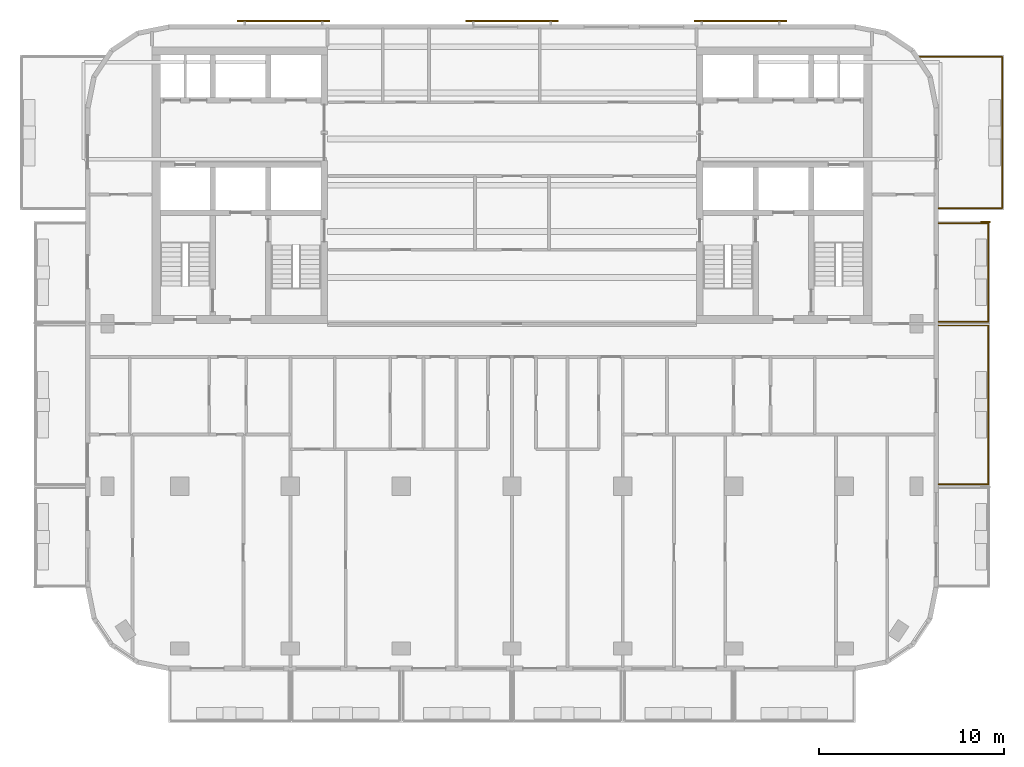
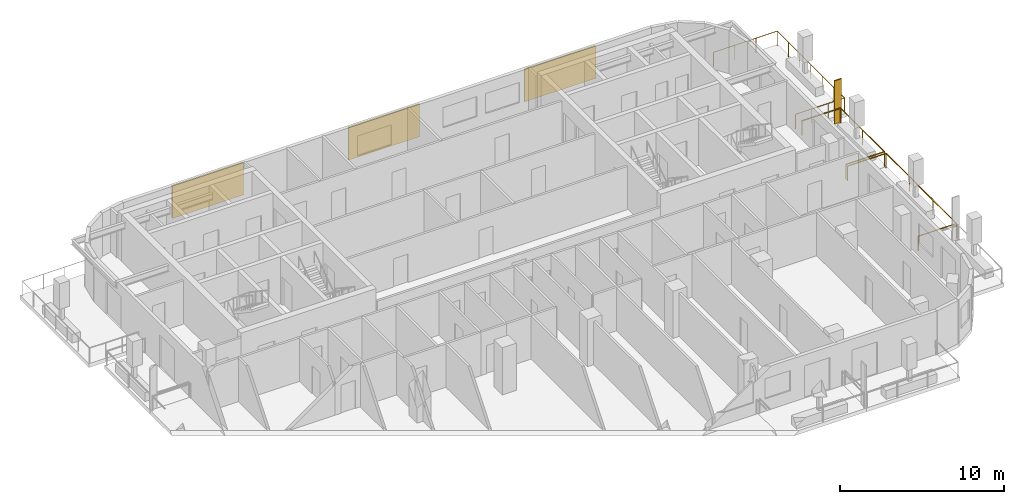
# One storey, part 10 of 11: 4 shading devices, 3 railings.
"""IFC4 building model written with IfcOpenShell, lengths in metres."""

import ifcopenshell
import ifcopenshell.guid

model = None  # the IFC model being written
_history = None  # IfcOwnerHistory: only IFC2X3 demands one
_inside = {}  # id of a spatial element -> (the spatial element, [elements in it])
_under = {}  # id of a project, library or spatial element -> (it, [spatial elements below it])
_declared = {}  # id of a project -> (the project, [libraries it declares])
_typed = {}  # id of a type object -> (the type object, [elements of that type])
_made_of = {}  # id of a material, layer set ... -> (it, [elements and type objects made of it])


def new_model(schema):
    """Start an empty IFC model of exactly this schema.

    Asked for "IFC4X3", IfcOpenShell would pick the latest addendum, in which some entities
    have other attributes; the version numbers below select the first issue.
    IFC2X3 requires an IfcOwnerHistory on every rooted entity: one is made here for all.
    """
    global model, _history
    if schema == "IFC4X3":
        model = ifcopenshell.file(schema_version=(4, 3, 0, 0))
    else:
        model = ifcopenshell.file(schema=schema)
    _inside.clear()
    _under.clear()
    _declared.clear()
    _typed.clear()
    _made_of.clear()
    _history = None
    if model.schema == "IFC2X3":
        org = make("IfcOrganization", Name="unknown")
        user = make(
            "IfcPersonAndOrganization",
            ThePerson=make("IfcPerson", FamilyName="unknown"),
            TheOrganization=org,
        )
        app = make(
            "IfcApplication",
            ApplicationDeveloper=org,
            Version="unknown",
            ApplicationFullName="unknown",
            ApplicationIdentifier="unknown",
        )
        _history = make(
            "IfcOwnerHistory",
            OwningUser=user,
            OwningApplication=app,
            ChangeAction="ADDED",
            CreationDate=0,
        )
    return model


def make(cls, **values):
    """One entity of the class cls with the attributes given. An attribute that is None is left unset."""
    return model.create_entity(
        cls, **{name: value for name, value in values.items() if value is not None}
    )


def rooted(cls, **values):
    """An entity with a GlobalId (a new one), such as an element, a storey or a relation."""
    return make(cls, GlobalId=ifcopenshell.guid.new(), OwnerHistory=_history, **values)


def si_unit(unit_type, name, prefix=None):
    """IfcSIUnit, for example si_unit("LENGTHUNIT", "METRE", prefix="MILLI")."""
    return make("IfcSIUnit", UnitType=unit_type, Prefix=prefix, Name=name)


def assignment(units):
    """IfcUnitAssignment: the units of a project."""
    return None if units is None else make("IfcUnitAssignment", Units=units)


def point(xyz):
    """IfcCartesianPoint."""
    return None if xyz is None else make("IfcCartesianPoint", Coordinates=xyz)


def direction(xyz):
    """IfcDirection."""
    return None if xyz is None else make("IfcDirection", DirectionRatios=xyz)


def frame(location, z_axis=None, x_axis=None):
    """IfcAxis2Placement3D, a coordinate frame: its origin and axes. An axis left out is left unset."""
    return make(
        "IfcAxis2Placement3D",
        Location=point(location),
        Axis=direction(z_axis),
        RefDirection=direction(x_axis),
    )


def frame_2d(location, x_axis=None):
    """IfcAxis2Placement2D, a coordinate frame in the plane: its origin and x axis."""
    return make(
        "IfcAxis2Placement2D", Location=point(location), RefDirection=direction(x_axis)
    )


def origin():
    """The frame at (0, 0, 0) with its axes left unset."""
    return frame((0.0, 0.0, 0.0))


def origin_2d():
    """The frame at (0, 0) in the plane with its x axis left unset."""
    return frame_2d((0.0, 0.0))


def place(relative_to, where):
    """IfcLocalPlacement: puts the frame where relative to a parent placement (None: the world)."""
    return make(
        "IfcLocalPlacement", PlacementRelTo=relative_to, RelativePlacement=where
    )


def context(
    kind, dimensions, precision=None, world=None, true_north=None, identifier=None
):
    """IfcGeometricRepresentationContext, for example the 3D "Model" context."""
    return make(
        "IfcGeometricRepresentationContext",
        ContextIdentifier=identifier,
        ContextType=kind,
        CoordinateSpaceDimension=dimensions,
        Precision=precision,
        WorldCoordinateSystem=world,
        TrueNorth=true_north,
    )


def subcontext(parent, identifier, kind, view, scale=None):
    """IfcGeometricRepresentationSubContext, for example "Body" below "Model"."""
    return make(
        "IfcGeometricRepresentationSubContext",
        ContextIdentifier=identifier,
        ContextType=kind,
        ParentContext=parent,
        TargetScale=scale,
        TargetView=view,
    )


def project(units=None, contexts=None):
    """IfcProject with its units and contexts."""
    return rooted(
        "IfcProject",
        Name="project",
        RepresentationContexts=contexts,
        UnitsInContext=assignment(units),
    )


def spatial(cls, under=None, at=None, **own):
    """A site, building, storey or space (cls), placed at a placement, below another one or the project."""
    s = rooted(cls, ObjectPlacement=at, **own)
    if under is not None:
        _under.setdefault(under.id(), (under, []))[1].append(s)
    return s


def profile(cls, at=None, kind="AREA", **sizes):
    """A parametric profile (cls). Its sizes go by their IFC names, for example OverallWidth=200.0."""
    return make(cls, ProfileType=kind, Position=at, **sizes)


def rectangle(**sizes):
    """IfcRectangleProfileDef."""
    return profile("IfcRectangleProfileDef", **sizes)


def circle(**sizes):
    """IfcCircleProfileDef."""
    return profile("IfcCircleProfileDef", **sizes)


def extrude(swept, where, along, depth):
    """IfcExtrudedAreaSolid: the profile swept, set in the frame where, extruded along a direction by depth."""
    return make(
        "IfcExtrudedAreaSolid",
        SweptArea=swept,
        Position=where,
        ExtrudedDirection=direction(along),
        Depth=depth,
    )


def shape(context_of_items, identifier, shape_type, items):
    """IfcShapeRepresentation: the items that make up one representation, for example the "Body"."""
    return make(
        "IfcShapeRepresentation",
        ContextOfItems=context_of_items,
        RepresentationIdentifier=identifier,
        RepresentationType=shape_type,
        Items=items,
    )


def material(Name=None, Category=None):
    """IfcMaterial."""
    return make("IfcMaterial", Name=Name, Category=Category)


def layer(
    of_material, thickness, ventilated=None, Name=None, Category=None, Priority=None
):
    """IfcMaterialLayer: one layer of a wall or slab, of a material (None: an air gap)."""
    return make(
        "IfcMaterialLayer",
        Material=of_material,
        LayerThickness=thickness,
        IsVentilated=ventilated,
        Name=Name,
        Category=Category,
        Priority=Priority,
    )


def layer_set(layers, Name=None):
    """IfcMaterialLayerSet."""
    return make("IfcMaterialLayerSet", MaterialLayers=layers, LayerSetName=Name)


def made_of(thing, what):
    """Note that an element or type object is made of a material, layer set ...; save() writes the relation."""
    if what is not None:
        _made_of.setdefault(what.id(), (what, []))[1].append(thing)
    return thing


def type_object(cls, material=None, **own):
    """A type object (cls), such as IfcWallType, which elements share."""
    return made_of(rooted(cls, **own), material)


def element(
    cls,
    number,
    at=None,
    inside=None,
    cuts=None,
    type_object=None,
    material=None,
    context=None,
    identifier="Body",
    shape_type=None,
    held_by="IfcProductDefinitionShape",
    body=None,
    shapes=None,
    **own,
):
    """One element of the class cls, such as IfcWall. Its Tag is "e" and its number.

    at: its placement. inside: the storey or other place that contains it. cuts: it is an
    opening in that element (IfcRelVoidsElement). A single representation is given by context,
    identifier, shape_type and body (its items); several are given by shapes. held_by: the class
    of the entity that holds the representations. save() writes the other relations.
    """
    e = rooted(cls, Tag="e%d" % number, ObjectPlacement=at, **own)
    if body is not None:
        shapes = [shape(context, identifier, shape_type, body)]
    if shapes is not None:
        e.Representation = make(held_by, Representations=shapes)
    if inside is not None:
        _inside.setdefault(inside.id(), (inside, []))[1].append(e)
    if cuts is not None:
        rooted(
            "IfcRelVoidsElement", RelatingBuildingElement=cuts, RelatedOpeningElement=e
        )
    if type_object is not None:
        _typed.setdefault(type_object.id(), (type_object, []))[1].append(e)
    return made_of(e, material)


def aggregate(whole, parts):
    """IfcRelAggregates: a whole, such as a stair, and the parts it consists of."""
    return rooted("IfcRelAggregates", RelatingObject=whole, RelatedObjects=parts)


def save(model, path):
    """Write the relations noted so far, then the file.

    IfcRelAggregates (storeys below a building ...), IfcRelContainedInSpatialStructure (elements
    in a storey), IfcRelDefinesByType, IfcRelAssociatesMaterial and IfcRelDeclares: one each for
    every whole, place, type object, material and project.
    """
    for whole, parts in _under.values():
        aggregate(whole, parts)
    for where, things in _inside.values():
        rooted(
            "IfcRelContainedInSpatialStructure",
            RelatedElements=things,
            RelatingStructure=where,
        )
    for kind, things in _typed.values():
        rooted("IfcRelDefinesByType", RelatedObjects=things, RelatingType=kind)
    for what, things in _made_of.values():
        rooted("IfcRelAssociatesMaterial", RelatedObjects=things, RelatingMaterial=what)
    for by, libraries in _declared.values():
        rooted("IfcRelDeclares", RelatingContext=by, RelatedDefinitions=libraries)
    model.write(path)


model = new_model("IFC4")

# Units and contexts
model_context = context("Model", 3, precision=1e-05, world=origin(), true_north=direction((0.0, 1.0)))
body_context = subcontext(model_context, "Body", "Model", "MODEL_VIEW")
ifc_project = project(units=[si_unit("LENGTHUNIT", "METRE"), si_unit("AREAUNIT", "SQUARE_METRE"), si_unit("VOLUMEUNIT", "CUBIC_METRE"), si_unit("PLANEANGLEUNIT", "RADIAN"), si_unit("MASSUNIT", "GRAM", prefix="KILO")], contexts=[model_context])

# Site, building, storey
site_placement = place(None, origin())
site = spatial("IfcSite", under=ifc_project, at=site_placement, CompositionType="ELEMENT")
building_placement = place(site_placement, origin())
building = spatial("IfcBuilding", under=site, at=building_placement, Name="Torana Hotel and Residences", CompositionType="ELEMENT")
storey_placement = place(building_placement, frame((0.0, 0.0, 291.10009765625)))
storey = spatial("IfcBuildingStorey", under=building, at=storey_placement, Name="L77", CompositionType="ELEMENT", Elevation=291.10009765625)

# Shading device
ifc_material_1 = material(Name="Black powder coated aluminium", Category="aluminium")
ifc_layer_1 = layer(ifc_material_1, 0.080078125)
ifc_layer_set_1 = layer_set([ifc_layer_1], Name="FN1 VERTICAL FIN 500x80")
shading_device_type_1 = type_object("IfcShadingDeviceType", Name="FN1 VERTICAL FIN 500x80", PredefinedType="USERDEFINED", material=ifc_layer_set_1)
shading_device_placement = place(storey_placement, frame((25.64990234375, -9.489990234375, 0.0), z_axis=(0.0, 0.0, 1.0), x_axis=(0.0, -1.0, 0.0)))
element("IfcShadingDevice", 1, at=shading_device_placement, inside=storey, type_object=shading_device_type_1, Name="Fin 13", ObjectType="FIN", PredefinedType="USERDEFINED", context=body_context, shape_type="SweptSolid", body=[
    extrude(rectangle(XDim=0.080078125, YDim=0.5, at=origin_2d()), origin(), (0.0, 0.0, 1.0), 3.219970703125),
])

# Railings
ifc_material_2 = material(Name="Laminated glass balustrade with black handrail", Category="glass")
railing_type = type_object("IfcRailingType", Name="GR1 BALCONY GUARD 1100 GLASS", PredefinedType="GUARDRAIL", material=ifc_material_2)
railing_1_placement = place(storey_placement, frame((23.10009765625, -15.10009765625, 0.0)))
element("IfcRailing", 2, at=railing_1_placement, inside=storey, type_object=railing_type, Name="Balcony guard 12", PredefinedType="GUARDRAIL", context=body_context, shape_type="SweptSolid", body=[
    extrude(circle(Radius=0.02392578125, at=origin_2d()), frame((0.0, 0.0, 1.076171875), z_axis=(1.0, 0.0, 0.0), x_axis=(0.0, 1.0, 0.0)), (0.0, 0.0, 1.0), 2.699951171875),
    extrude(circle(Radius=0.02392578125, at=origin_2d()), frame((2.699951171875, 0.0, 1.076171875), z_axis=(0.0, -1.0, 0.0), x_axis=(1.0, 0.0, 0.0)), (0.0, 0.0, 1.0), 8.599853515625),
    extrude(circle(Radius=0.02392578125, at=origin_2d()), frame((2.699951171875, -8.599853515625, 1.076171875), z_axis=(-1.0, 0.0, 0.0), x_axis=(0.0, -1.0, 0.0)), (0.0, 0.0, 1.0), 2.699951171875),
    extrude(circle(Radius=0.02099609375, at=origin_2d()), origin(), (0.0, 0.0, 1.0), 1.052001953125),
    extrude(circle(Radius=0.02099609375, at=origin_2d()), frame((2.699951171875, 0.0, 0.0)), (0.0, 0.0, 1.0), 1.052001953125),
    extrude(circle(Radius=0.02099609375, at=origin_2d()), frame((2.699951171875, -2.86669921875, 0.0)), (0.0, 0.0, 1.0), 1.052001953125),
    extrude(circle(Radius=0.02099609375, at=origin_2d()), frame((2.699951171875, -5.733154296875, 0.0)), (0.0, 0.0, 1.0), 1.052001953125),
    extrude(circle(Radius=0.02099609375, at=origin_2d()), frame((2.699951171875, -8.599853515625, 0.0)), (0.0, 0.0, 1.0), 1.052001953125),
    extrude(circle(Radius=0.02099609375, at=origin_2d()), frame((0.0, -8.599853515625, 0.0)), (0.0, 0.0, 1.0), 1.052001953125),
])
railing_2_placement = place(storey_placement, frame((23.10009765625, -9.550048828125, 0.0)))
element("IfcRailing", 3, at=railing_2_placement, inside=storey, type_object=railing_type, Name="Balcony guard 13", PredefinedType="GUARDRAIL", context=body_context, shape_type="SweptSolid", body=[
    extrude(circle(Radius=0.02392578125, at=origin_2d()), frame((0.0, 0.0, 1.076171875), z_axis=(1.0, 0.0, 0.0), x_axis=(0.0, 1.0, 0.0)), (0.0, 0.0, 1.0), 2.699951171875),
    extrude(circle(Radius=0.02392578125, at=origin_2d()), frame((2.699951171875, 0.0, 1.076171875), z_axis=(0.0, -1.0, 0.0), x_axis=(1.0, 0.0, 0.0)), (0.0, 0.0, 1.0), 5.349853515625),
    extrude(circle(Radius=0.02392578125, at=origin_2d()), frame((2.699951171875, -5.349853515625, 1.076171875), z_axis=(-1.0, 0.0, 0.0), x_axis=(0.0, -1.0, 0.0)), (0.0, 0.0, 1.0), 2.699951171875),
    extrude(circle(Radius=0.02099609375, at=origin_2d()), origin(), (0.0, 0.0, 1.0), 1.052001953125),
    extrude(circle(Radius=0.02099609375, at=origin_2d()), frame((2.699951171875, 0.0, 0.0)), (0.0, 0.0, 1.0), 1.052001953125),
    extrude(circle(Radius=0.02099609375, at=origin_2d()), frame((2.699951171875, -2.6748046875, 0.0)), (0.0, 0.0, 1.0), 1.052001953125),
    extrude(circle(Radius=0.02099609375, at=origin_2d()), frame((2.699951171875, -5.349853515625, 0.0)), (0.0, 0.0, 1.0), 1.052001953125),
    extrude(circle(Radius=0.02099609375, at=origin_2d()), frame((0.0, -5.349853515625, 0.0)), (0.0, 0.0, 1.0), 1.052001953125),
])
railing_3_placement = place(storey_placement, frame((22.07080078125, -0.550048828125, 0.0)))
element("IfcRailing", 4, at=railing_3_placement, inside=storey, type_object=railing_type, Name="Balcony guard 14", PredefinedType="GUARDRAIL", context=body_context, shape_type="SweptSolid", body=[
    extrude(circle(Radius=0.02392578125, at=origin_2d()), frame((0.0, 0.0, 1.076171875), z_axis=(1.0, 0.0, 0.0), x_axis=(0.0, 1.0, 0.0)), (0.0, 0.0, 1.0), 4.479248046875),
    extrude(circle(Radius=0.02392578125, at=origin_2d()), frame((4.479248046875, 0.0, 1.076171875), z_axis=(0.0, -1.0, 0.0), x_axis=(1.0, 0.0, 0.0)), (0.0, 0.0, 1.0), 8.199951171875),
    extrude(circle(Radius=0.02392578125, at=origin_2d()), frame((4.479248046875, -8.199951171875, 1.076171875), z_axis=(-1.0, 0.0, 0.0), x_axis=(0.0, -1.0, 0.0)), (0.0, 0.0, 1.0), 3.449951171875),
    extrude(circle(Radius=0.02099609375, at=origin_2d()), origin(), (0.0, 0.0, 1.0), 1.052001953125),
    extrude(circle(Radius=0.02099609375, at=origin_2d()), frame((1.4931640625, 0.0, 0.0)), (0.0, 0.0, 1.0), 1.052001953125),
    extrude(circle(Radius=0.02099609375, at=origin_2d()), frame((2.986083984375, 0.0, 0.0)), (0.0, 0.0, 1.0), 1.052001953125),
    extrude(circle(Radius=0.02099609375, at=origin_2d()), frame((4.479248046875, 0.0, 0.0)), (0.0, 0.0, 1.0), 1.052001953125),
    extrude(circle(Radius=0.02099609375, at=origin_2d()), frame((4.479248046875, -1.36669921875, 0.0)), (0.0, 0.0, 1.0), 1.052001953125),
    extrude(circle(Radius=0.02099609375, at=origin_2d()), frame((4.479248046875, -2.7333984375, 0.0)), (0.0, 0.0, 1.0), 1.052001953125),
    extrude(circle(Radius=0.02099609375, at=origin_2d()), frame((4.479248046875, -4.10009765625, 0.0)), (0.0, 0.0, 1.0), 1.052001953125),
    extrude(circle(Radius=0.02099609375, at=origin_2d()), frame((4.479248046875, -5.466552734375, 0.0)), (0.0, 0.0, 1.0), 1.052001953125),
    extrude(circle(Radius=0.02099609375, at=origin_2d()), frame((4.479248046875, -6.833251953125, 0.0)), (0.0, 0.0, 1.0), 1.052001953125),
    extrude(circle(Radius=0.02099609375, at=origin_2d()), frame((4.479248046875, -8.199951171875, 0.0)), (0.0, 0.0, 1.0), 1.052001953125),
    extrude(circle(Radius=0.02099609375, at=origin_2d()), frame((3.329345703125, -8.199951171875, 0.0)), (0.0, 0.0, 1.0), 1.052001953125),
    extrude(circle(Radius=0.02099609375, at=origin_2d()), frame((2.17919921875, -8.199951171875, 0.0)), (0.0, 0.0, 1.0), 1.052001953125),
    extrude(circle(Radius=0.02099609375, at=origin_2d()), frame((1.029296875, -8.199951171875, 0.0)), (0.0, 0.0, 1.0), 1.052001953125),
])

# Shading devices
ifc_material_3 = material(Name="Concrete C40/50 precast", Category="concrete")
ifc_layer_2 = layer(ifc_material_3, 0.10009765625)
ifc_layer_set_2 = layer_set([ifc_layer_2], Name="SC1 PERFORATED BLOCK SCREEN PANEL 100")
shading_device_type_2 = type_object("IfcShadingDeviceType", Name="SC1 PERFORATED BLOCK SCREEN PANEL 100", PredefinedType="USERDEFINED", material=ifc_layer_set_2)
for number, where, z_axis, x_axis, name in (
    (5, (12.383544921875, 1.39990234375, 0.5), (0.0, 0.0, 1.0), (-1.0, 0.0, 0.0), "Perforated block screen L77"),
    (6, (0.0, 1.39990234375, 0.5), (0.0, 0.0, 1.0), (-1.0, 0.0, 0.0), "Perforated block screen L77"),
    (7, (-12.383544921875, 1.39990234375, 0.5), (0.0, 0.0, 1.0), (-1.0, 0.0, 0.0), "Perforated block screen L77"),
):
    element("IfcShadingDevice", number, at=place(storey_placement, frame(where, z_axis=z_axis, x_axis=x_axis)), inside=storey, type_object=shading_device_type_2, Name=name, ObjectType="SCREEN", PredefinedType="USERDEFINED", context=body_context, shape_type="SweptSolid", body=[
        extrude(rectangle(XDim=5.0, YDim=0.10009765625, at=origin_2d()), origin(), (0.0, 0.0, 1.0), 2.419921875),
    ])

save(model, "model.ifc")
